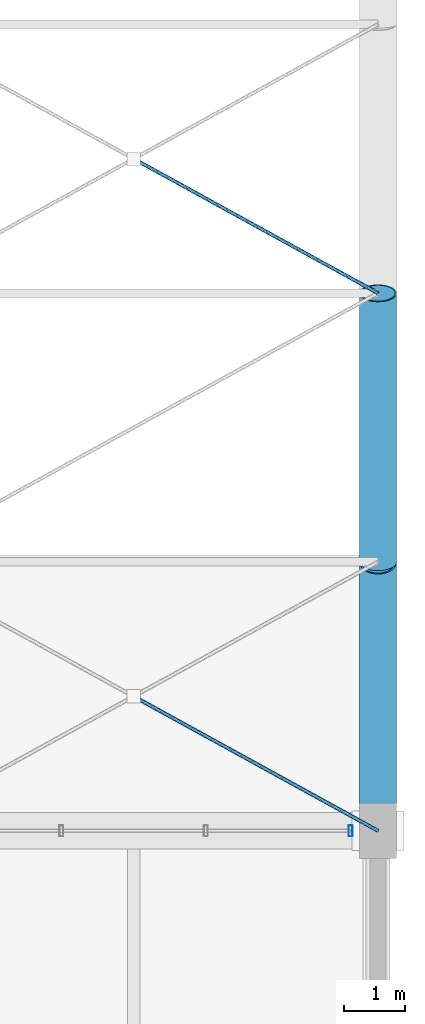
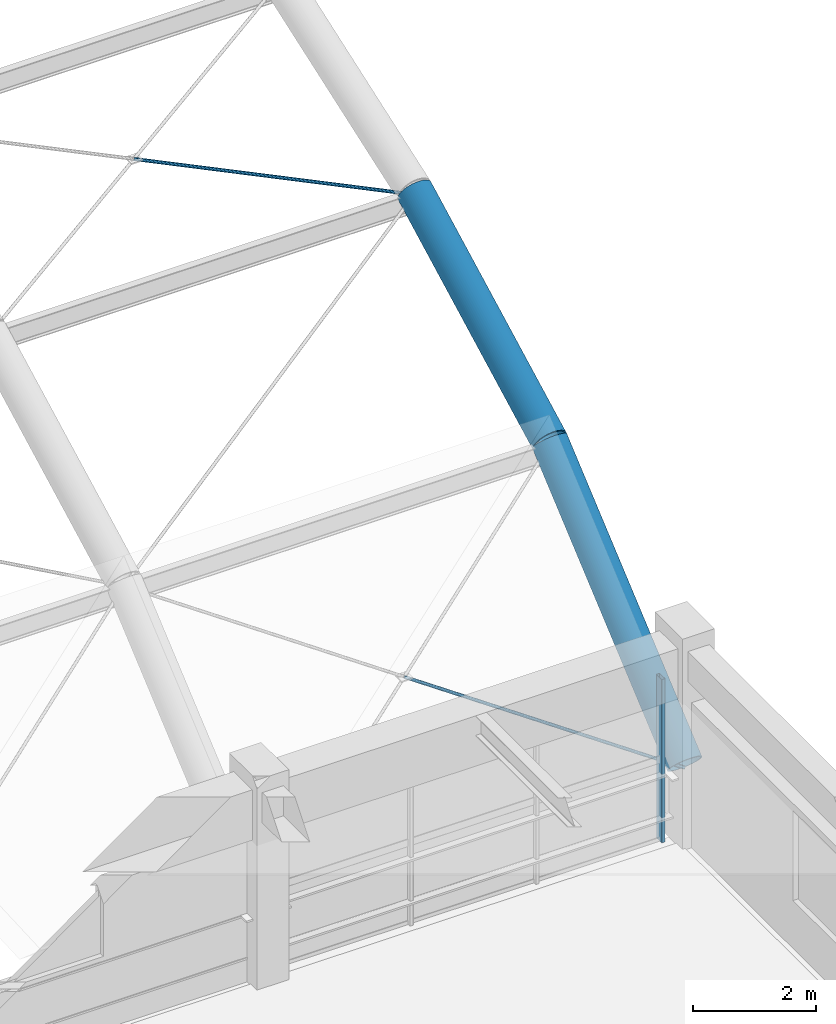
# One storey, part 84 of 126: 3 members, 2 beams, 1 element without a shape of its own.
"""IFC4 building model written with IfcOpenShell, lengths in metres."""

from ifc_helpers import new_model, si_unit, direction, frame, origin, origin_2d, place, context, subcontext, project, spatial, hollow_rectangle, circle, hollow_circle, extrude, material, material_profile, profile_set, type_object, element, aggregate, save


model = new_model("IFC4")

# Units and contexts
model_context = context("Model", 3, precision=1e-05, world=origin(), true_north=direction((0.0, 1.0)))
body_context = subcontext(model_context, "Body", "Model", "MODEL_VIEW")
ifc_project = project(units=[si_unit("LENGTHUNIT", "METRE"), si_unit("AREAUNIT", "SQUARE_METRE"), si_unit("VOLUMEUNIT", "CUBIC_METRE"), si_unit("PLANEANGLEUNIT", "RADIAN"), si_unit("MASSUNIT", "GRAM", prefix="KILO")], contexts=[model_context])

# Site, building, storey
site_placement = place(None, origin())
site = spatial("IfcSite", under=ifc_project, at=site_placement, CompositionType="ELEMENT")
building_placement = place(site_placement, origin())
building = spatial("IfcBuilding", under=site, at=building_placement, Name="Varnabhumi Central Station", CompositionType="ELEMENT")
storey_placement = place(building_placement, frame((0.0, 0.0, 16.199951171875)))
storey = spatial("IfcBuildingStorey", under=building, at=storey_placement, Name="L03", CompositionType="ELEMENT", Elevation=16.199951171875)

# Beams
ifc_material_1 = material(Name="Structural steel E450", Category="steel")
ifc_material_profile_1 = material_profile(ifc_material_1, hollow_circle(Radius=0.304931640625, WallThickness=0.02490234375, at=origin_2d()), Name="Structural steel E450", Category="steel")
ifc_profile_set_1 = profile_set([ifc_material_profile_1], Name="Structural steel E450")
beam_type = type_object("IfcBeamType", Name="BM-ARCH-CHS610", PredefinedType="BEAM", material=ifc_profile_set_1)
beam_1_placement = place(storey_placement, frame((184.0, 36.0, 1.35009765625), z_axis=(0.0, 0.761369888875, 0.648317740244), x_axis=(-1.0, 0.0, 0.0)))
element("IfcBeam", 1, at=beam_1_placement, inside=storey, type_object=beam_type, Name="Platform Train-Shed Vault Arch Rib 8 Seg 1", PredefinedType="BEAM", context=body_context, shape_type="SweptSolid", body=[
    extrude(hollow_circle(Radius=0.304931640625, WallThickness=0.02490234375, at=origin_2d()), origin(), (0.0, 0.0, 1.0), 5.77880859375),
])
beam_2_placement = place(storey_placement, frame((184.0, 40.39990234375, 5.0966796875), z_axis=(0.0, 0.88562177592, 0.464407224337), x_axis=(-1.0, 0.0, 0.0)))
element("IfcBeam", 2, at=beam_2_placement, inside=storey, type_object=beam_type, Name="Platform Train-Shed Vault Arch Rib 8 Seg 2", PredefinedType="BEAM", context=body_context, shape_type="SweptSolid", body=[
    extrude(hollow_circle(Radius=0.304931640625, WallThickness=0.02490234375, at=origin_2d()), origin(), (0.0, 0.0, 1.0), 4.968505859375),
])

# Curtain wall, member
ifc_material_2 = material(Name="Anodised aluminium 6063-T6", Category="aluminium")
curtain_wall_type = type_object("IfcCurtainWallType", Name="CW-SPINE-SCREEN-L0", PredefinedType="NOTDEFINED", material=ifc_material_2)
curtain_wall_placement = place(storey_placement, origin())
curtain_wall = element("IfcCurtainWall", 3, at=curtain_wall_placement, inside=storey, type_object=curtain_wall_type, Name="Curtain Wall CW-SS318", PredefinedType="NOTDEFINED")
ifc_material_profile_2 = material_profile(ifc_material_2, hollow_rectangle(XDim=0.06494140625, YDim=0.179931640625, WallThickness=0.00390625, InnerFilletRadius=0.001953125, OuterFilletRadius=0.006103515625, at=origin_2d()), Name="Anodised aluminium 6063-T6", Category="aluminium")
ifc_profile_set_2 = profile_set([ifc_material_profile_2], Name="Anodised aluminium 6063-T6")
member_type_1 = type_object("IfcMemberType", Name="CW-MUL-180", PredefinedType="MULLION", material=ifc_profile_set_2)
member_1_placement = place(storey_placement, frame((183.550048828125, 36.0, 0.0), z_axis=(0.0, 0.0, 1.0), x_axis=(1.0, 0.0, 0.0)))
member_1 = element("IfcMember", 4, at=member_1_placement, type_object=member_type_1, Name="Curtain Wall Mullion CW-SS318-M4", PredefinedType="MULLION", context=body_context, shape_type="SweptSolid", body=[
    extrude(hollow_rectangle(XDim=0.06494140625, YDim=0.179931640625, WallThickness=0.00390625, InnerFilletRadius=0.001953125, OuterFilletRadius=0.006103515625, at=origin_2d()), origin(), (0.0, 0.0, 1.0), 3.239990234375),
])
aggregate(curtain_wall, [member_1])

# Members
ifc_material_3 = material(Name="Spiral-strand steel S1570", Category="steel")
ifc_material_profile_3 = material_profile(ifc_material_3, circle(Radius=0.030029296875, at=origin_2d()), Name="Spiral-strand steel S1570", Category="steel")
ifc_profile_set_3 = profile_set([ifc_material_profile_3], Name="Spiral-strand steel S1570")
member_type_2 = type_object("IfcMemberType", Name="MBR-CABLE-D60", PredefinedType="USERDEFINED", material=ifc_profile_set_3)
member_2_placement = place(storey_placement, frame((180.0, 38.199951171875, 3.143310546875), z_axis=(0.810623868746, -0.4458332325, -0.379633602593), x_axis=(0.481910537812, 0.876220425204, 0.0)))
element("IfcMember", 5, at=member_2_placement, inside=storey, type_object=member_type_2, Name="Platform Train-Shed Vault Cable-Net Split Tie B7-P1B2", ObjectType="TENSION CABLE", PredefinedType="USERDEFINED", context=body_context, shape_type="SweptSolid", body=[
    extrude(circle(Radius=0.030029296875, at=origin_2d()), origin(), (0.0, 0.0, 1.0), 4.9345703125),
])
member_3_placement = place(storey_placement, frame((180.0, 47.0, 8.097412109375), z_axis=(0.863908907652, -0.475139353446, -0.167044886441), x_axis=(0.481910537812, 0.876220425204, 0.0)))
element("IfcMember", 6, at=member_3_placement, inside=storey, type_object=member_type_2, Name="Platform Train-Shed Vault Cable-Net Split Tie B7-P3B2", ObjectType="TENSION CABLE", PredefinedType="USERDEFINED", context=body_context, shape_type="SweptSolid", body=[
    extrude(circle(Radius=0.030029296875, at=origin_2d()), origin(), (0.0, 0.0, 1.0), 4.630126953125),
])

save(model, "model.ifc")
